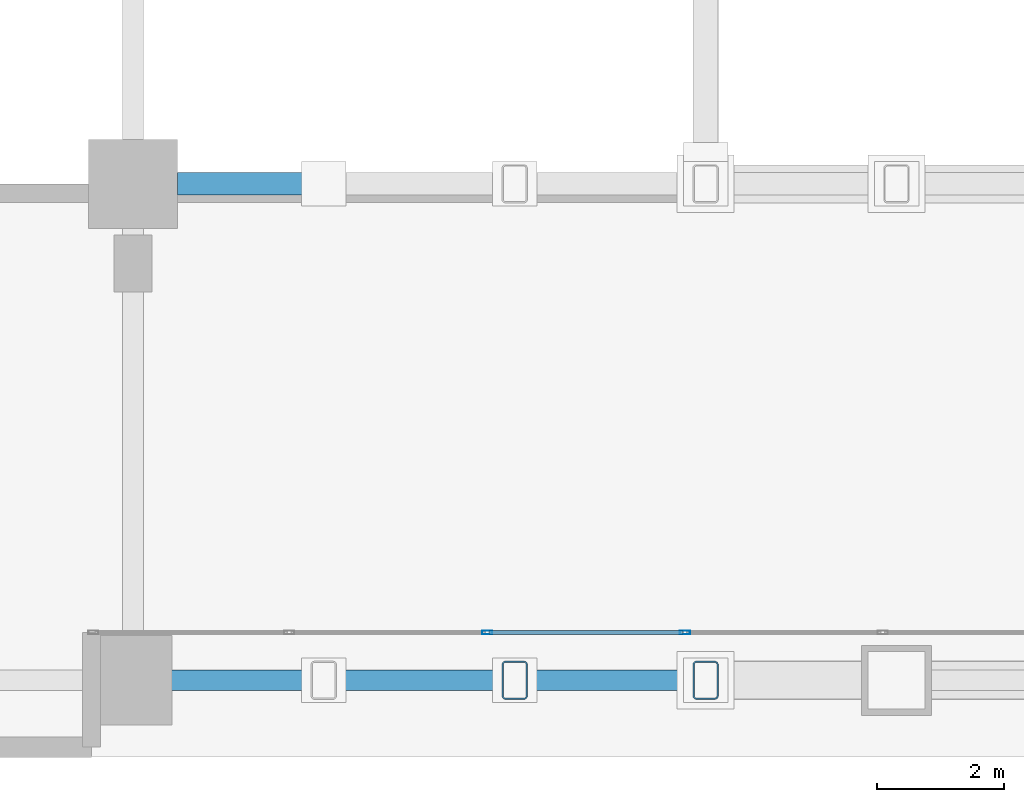
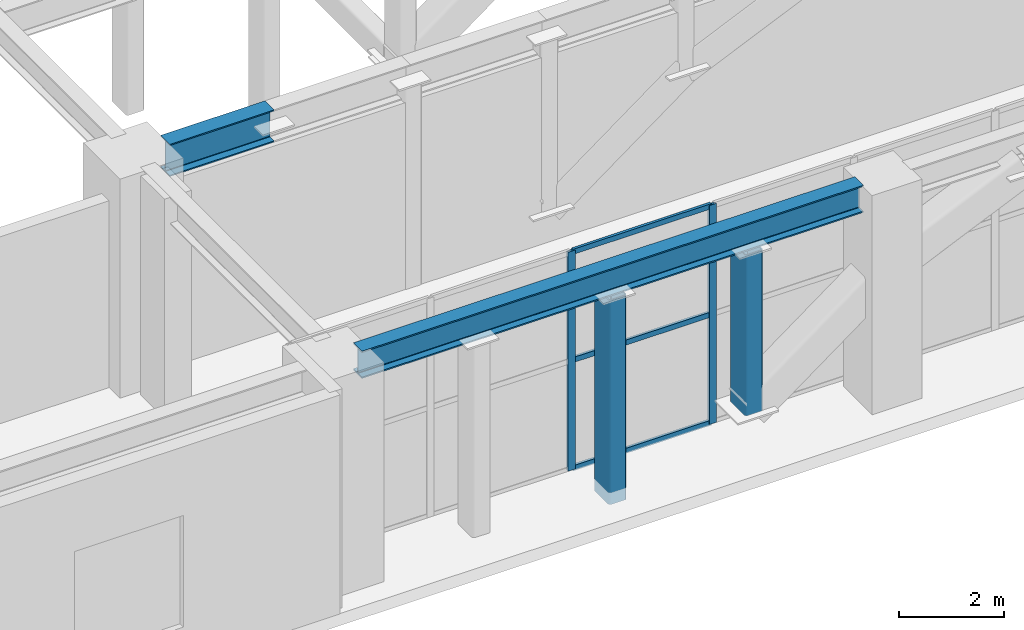
# One storey, part 5 of 32: 7 members, 2 beams, 1 element without a shape of its own.
"""IFC4 building model written with IfcOpenShell, lengths in metres."""

from ifc_helpers import new_model, si_unit, direction, frame, origin, origin_2d, place, context, subcontext, project, spatial, hollow_rectangle, i_section, extrude, material, layer, layer_set, material_profile, profile_set, type_object, element, aggregate, save


model = new_model("IFC4")

# Units and contexts
model_context = context("Model", 3, precision=1e-05, world=origin(), true_north=direction((0.0, 1.0)))
body_context = subcontext(model_context, "Body", "Model", "MODEL_VIEW")
ifc_project = project(units=[si_unit("LENGTHUNIT", "METRE"), si_unit("AREAUNIT", "SQUARE_METRE"), si_unit("VOLUMEUNIT", "CUBIC_METRE"), si_unit("PLANEANGLEUNIT", "RADIAN"), si_unit("MASSUNIT", "GRAM", prefix="KILO")], contexts=[model_context])

# Site, building, storey
site_placement = place(None, origin())
site = spatial("IfcSite", under=ifc_project, at=site_placement, CompositionType="ELEMENT")
building_placement = place(site_placement, origin())
building = spatial("IfcBuilding", under=site, at=building_placement, Name="Sarneth Arch Tower", CompositionType="ELEMENT")
storey_placement = place(building_placement, frame((0.0, 0.0, 11.39990234375)))
storey = spatial("IfcBuildingStorey", under=building, at=storey_placement, Name="L02", CompositionType="ELEMENT", Elevation=11.39990234375)

# Beams
ifc_material_1 = material(Name="Steel S355", Category="steel")
ifc_material_profile_1 = material_profile(ifc_material_1, i_section(OverallWidth=0.3291015625, OverallDepth=0.635009765625, WebThickness=0.017822265625, FlangeThickness=0.031005859375, FilletRadius=0.01904296875, at=origin_2d()), Name="W610x241")
ifc_profile_set_1 = profile_set([ifc_material_profile_1], Name="Steel S355")
beam_type_1 = type_object("IfcBeamType", Name="BM-POD-610", PredefinedType="BEAM", material=ifc_profile_set_1)
beam_1_placement = place(storey_placement, frame((30.435546875, 9.199951171875, 4.78271484375), z_axis=(1.0, 0.0, 0.0), x_axis=(0.0, 1.0, 0.0)))
element("IfcBeam", 1, at=beam_1_placement, inside=storey, type_object=beam_type_1, Name="L02 Podium PS girder 3", PredefinedType="BEAM", context=body_context, shape_type="SweptSolid", body=[
    extrude(i_section(OverallWidth=0.3291015625, OverallDepth=0.635009765625, WebThickness=0.017822265625, FlangeThickness=0.031005859375, FilletRadius=0.01904296875, at=origin_2d()), origin(), (0.0, 0.0, 1.0), 11.04443359375),
])
ifc_material_2 = material(Name="Steel S355", Category="steel")
ifc_material_profile_2 = material_profile(ifc_material_2, i_section(OverallWidth=0.35009765625, OverallDepth=0.75, WebThickness=0.01611328125, FlangeThickness=0.028076171875, FilletRadius=0.01806640625, at=origin_2d()), Name="CVS750x268")
ifc_profile_set_2 = profile_set([ifc_material_profile_2], Name="Steel S355")
beam_type_2 = type_object("IfcBeamType", Name="BM-POD-750", PredefinedType="BEAM", material=ifc_profile_set_2)
beam_2_placement = place(storey_placement, frame((30.699951171875, 17.0, 4.72509765625), z_axis=(1.0, 0.0, 0.0), x_axis=(0.0, 1.0, 0.0)))
element("IfcBeam", 2, at=beam_2_placement, inside=storey, type_object=beam_type_2, Name="Podium arch top tie girder 2.1", PredefinedType="BEAM", context=body_context, shape_type="SweptSolid", body=[
    extrude(i_section(OverallWidth=0.35009765625, OverallDepth=0.75, WebThickness=0.01611328125, FlangeThickness=0.028076171875, FilletRadius=0.01806640625, at=origin_2d()), origin(), (0.0, 0.0, 1.0), 2.300048828125),
])

# Curtain wall, members
ifc_material_3 = material(Name="Anodised aluminium Type AA25 and solar-control low-e laminated IGU", Category="aluminium")
ifc_layer = layer(ifc_material_3, 0.199951171875)
ifc_layer_set = layer_set([ifc_layer], Name="Anodised aluminium Type AA25 and solar-control low-e laminated IGU")
curtain_wall_type = type_object("IfcCurtainWallType", Name="CW-ARCH-GLAZE", PredefinedType="NOTDEFINED", material=ifc_layer_set)
curtain_wall_placement = place(storey_placement, origin())
curtain_wall = element("IfcCurtainWall", 3, at=curtain_wall_placement, inside=storey, type_object=curtain_wall_type, Name="L02 South parabolic arch portal curtain wall", PredefinedType="NOTDEFINED")
ifc_material_4 = material(Name="Anodised Aluminium 6063-T6", Category="aluminium")
ifc_material_profile_3 = material_profile(ifc_material_4, hollow_rectangle(XDim=0.06005859375, YDim=0.159912109375, WallThickness=0.00390625, at=origin_2d()), Name="AL-MULL-160x60x4")
ifc_profile_set_3 = profile_set([ifc_material_profile_3], Name="Anodised Aluminium 6063-T6")
member_type_1 = type_object("IfcMemberType", Name="CW-MULLION", PredefinedType="MULLION", material=ifc_profile_set_3)
member_1_placement = place(storey_placement, frame((35.566650390625, 9.949951171875, 0.0), z_axis=(0.0, 0.0, 1.0), x_axis=(0.0, 1.0, 0.0)))
member_1 = element("IfcMember", 4, at=member_1_placement, type_object=member_type_1, Name="CW-SYS-2 mullion 3", PredefinedType="MULLION", context=body_context, shape_type="SweptSolid", body=[
    extrude(hollow_rectangle(XDim=0.06005859375, YDim=0.159912109375, WallThickness=0.00390625, at=origin_2d()), origin(), (0.0, 0.0, 1.0), 5.10009765625),
])
member_2_placement = place(storey_placement, frame((38.675048828125, 9.949951171875, 0.0), z_axis=(0.0, 0.0, 1.0), x_axis=(0.0, 1.0, 0.0)))
member_2 = element("IfcMember", 5, at=member_2_placement, type_object=member_type_1, Name="CW-SYS-2 mullion 4", PredefinedType="MULLION", context=body_context, shape_type="SweptSolid", body=[
    extrude(hollow_rectangle(XDim=0.06005859375, YDim=0.159912109375, WallThickness=0.00390625, at=origin_2d()), origin(), (0.0, 0.0, 1.0), 5.10009765625),
])
ifc_material_5 = material(Name="Anodised Aluminium 6063-T6", Category="aluminium")
ifc_material_profile_4 = material_profile(ifc_material_5, hollow_rectangle(XDim=0.06005859375, YDim=0.1201171875, WallThickness=0.00390625, at=origin_2d()), Name="AL-TRAN-120x60x4")
ifc_profile_set_4 = profile_set([ifc_material_profile_4], Name="Anodised Aluminium 6063-T6")
member_type_2 = type_object("IfcMemberType", Name="CW-TRANSOM", PredefinedType="USERDEFINED", material=ifc_profile_set_4)
member_3_placement = place(storey_placement, frame((35.5966796875, 9.949951171875, 0.030029296875), z_axis=(1.0, 0.0, 0.0), x_axis=(0.0, 1.0, 0.0)))
member_3 = element("IfcMember", 6, at=member_3_placement, type_object=member_type_2, Name="CW-SYS-2 transom 3.1", ObjectType="TRANSOM", PredefinedType="USERDEFINED", context=body_context, shape_type="SweptSolid", body=[
    extrude(hollow_rectangle(XDim=0.06005859375, YDim=0.1201171875, WallThickness=0.00390625, at=origin_2d()), origin(), (0.0, 0.0, 1.0), 3.04833984375),
])
member_4_placement = place(storey_placement, frame((35.5966796875, 9.949951171875, 2.550048828125), z_axis=(1.0, 0.0, 0.0), x_axis=(0.0, 1.0, 0.0)))
member_4 = element("IfcMember", 7, at=member_4_placement, type_object=member_type_2, Name="CW-SYS-2 transom 3.2", ObjectType="TRANSOM", PredefinedType="USERDEFINED", context=body_context, shape_type="SweptSolid", body=[
    extrude(hollow_rectangle(XDim=0.06005859375, YDim=0.1201171875, WallThickness=0.00390625, at=origin_2d()), origin(), (0.0, 0.0, 1.0), 3.04833984375),
])
member_5_placement = place(storey_placement, frame((35.5966796875, 9.949951171875, 5.070068359375), z_axis=(1.0, 0.0, 0.0), x_axis=(0.0, 1.0, 0.0)))
member_5 = element("IfcMember", 8, at=member_5_placement, type_object=member_type_2, Name="CW-SYS-2 transom 3.3", ObjectType="TRANSOM", PredefinedType="USERDEFINED", context=body_context, shape_type="SweptSolid", body=[
    extrude(hollow_rectangle(XDim=0.06005859375, YDim=0.1201171875, WallThickness=0.00390625, at=origin_2d()), origin(), (0.0, 0.0, 1.0), 3.04833984375),
])
aggregate(curtain_wall, [member_1, member_2, member_3, member_4, member_5])

# Members
ifc_material_6 = material(Name="Steel S355", Category="steel")
ifc_material_profile_5 = material_profile(ifc_material_6, hollow_rectangle(XDim=0.39990234375, YDim=0.60009765625, WallThickness=0.02197265625, InnerFilletRadius=0.032958984375, OuterFilletRadius=0.054931640625, at=origin_2d()), Name="RHS600x400x22")
ifc_profile_set_5 = profile_set([ifc_material_profile_5], Name="Steel S355")
member_type_3 = type_object("IfcMemberType", Name="MEM-ARCH-WEB", PredefinedType="BRACE", material=ifc_profile_set_5)
member_6_placement = place(storey_placement, frame((36.0, 9.199951171875, -0.27978515625), z_axis=(0.0, 0.0, 1.0), x_axis=(1.0, 0.0, 0.0)))
element("IfcMember", 9, at=member_6_placement, inside=storey, type_object=member_type_3, Name="Podium arch spandrel post 1.2B", PredefinedType="BRACE", context=body_context, shape_type="SweptSolid", body=[
    extrude(hollow_rectangle(XDim=0.39990234375, YDim=0.60009765625, WallThickness=0.02197265625, InnerFilletRadius=0.032958984375, OuterFilletRadius=0.054931640625, at=origin_2d()), origin(), (0.0, 0.0, 1.0), 4.759765625),
])
member_7_placement = place(storey_placement, frame((39.0, 9.199951171875, 0.7314453125), z_axis=(0.0, 0.0, 1.0), x_axis=(1.0, 0.0, 0.0)))
element("IfcMember", 10, at=member_7_placement, inside=storey, type_object=member_type_3, Name="Podium arch spandrel post 1.3", PredefinedType="BRACE", context=body_context, shape_type="SweptSolid", body=[
    extrude(hollow_rectangle(XDim=0.39990234375, YDim=0.60009765625, WallThickness=0.02197265625, InnerFilletRadius=0.032958984375, OuterFilletRadius=0.054931640625, at=origin_2d()), origin(), (0.0, 0.0, 1.0), 3.74853515625),
])

save(model, "model.ifc")
